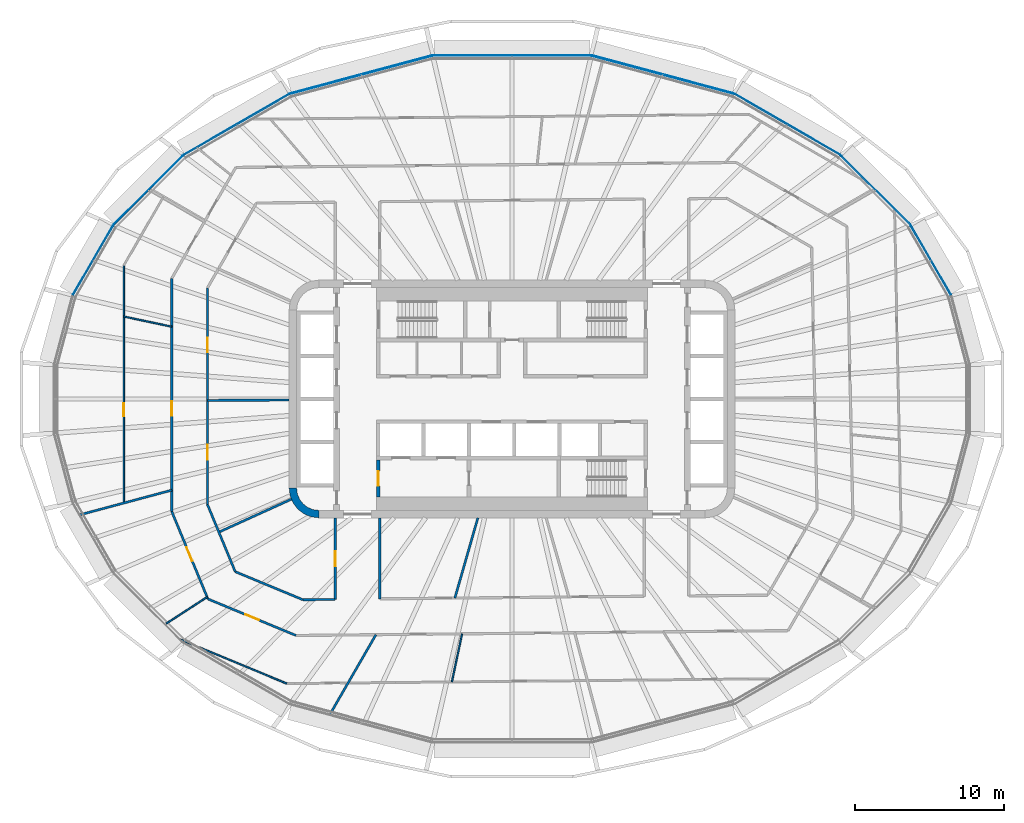
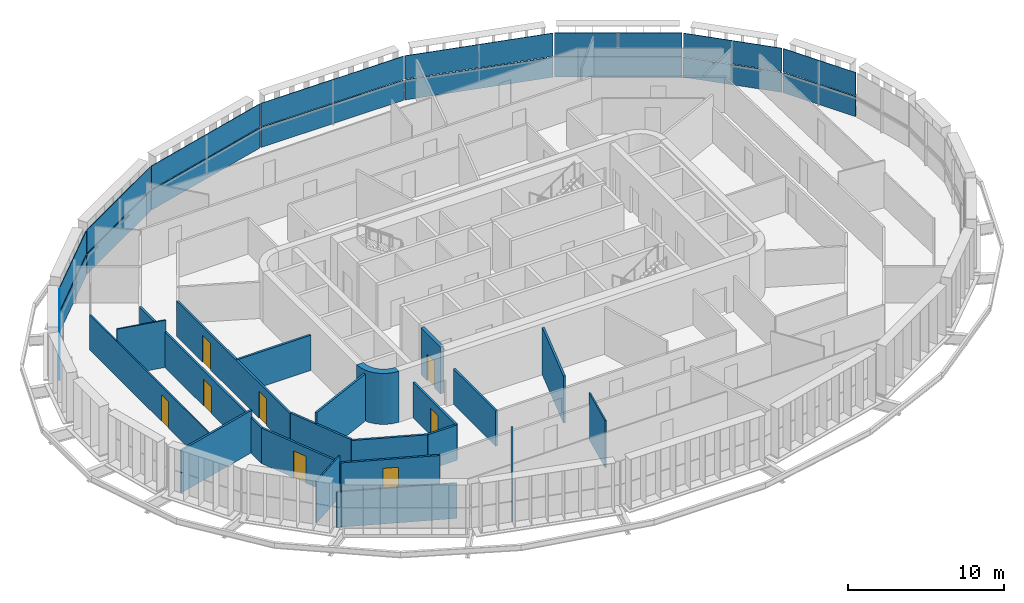
# One storey, part 10 of 22: 21 walls, 18 plates, 8 doors, 8 openings, 9 elements without a shape of their own.
"""IFC4 building model written with IfcOpenShell, lengths in metres."""

from ifc_helpers import new_model, si_unit, direction, frame, frame_2d, origin, place, context, subcontext, project, spatial, polyline, rectangle, outline, extrude, material, layer, layer_set, type_object, element, fill, aggregate, save


model = new_model("IFC4")

# Units and contexts
model_context = context("Model", 3, precision=1e-05, world=origin(), true_north=direction((0.0, 1.0)))
body_context = subcontext(model_context, "Body", "Model", "MODEL_VIEW")
ifc_project = project(units=[si_unit("LENGTHUNIT", "METRE"), si_unit("AREAUNIT", "SQUARE_METRE"), si_unit("VOLUMEUNIT", "CUBIC_METRE"), si_unit("PLANEANGLEUNIT", "RADIAN"), si_unit("MASSUNIT", "GRAM", prefix="KILO")], contexts=[model_context])

# Site, building, storey
site_placement = place(None, origin())
site = spatial("IfcSite", under=ifc_project, at=site_placement, CompositionType="ELEMENT")
building_placement = place(site_placement, origin())
building = spatial("IfcBuilding", under=site, at=building_placement, Name="Sahrelin Media Tower", CompositionType="ELEMENT")
storey_placement = place(building_placement, frame((0.0, 0.0, 189.60009765625)))
storey = spatial("IfcBuildingStorey", under=building, at=storey_placement, Name="L40", CompositionType="ELEMENT", Elevation=189.60009765625)

# Curtain wall, plate
ifc_material_1 = material(Name="Champagne anodised aluminium 6063-T6", Category="aluminium")
ifc_layer_1 = layer(ifc_material_1, 0.14990234375)
ifc_layer_set_1 = layer_set([ifc_layer_1], Name="Tower ribbon curtain wall")
curtain_wall_type = type_object("IfcCurtainWallType", Name="Tower ribbon curtain wall", PredefinedType="NOTDEFINED", material=ifc_layer_set_1)
curtain_wall_1_placement = place(storey_placement, frame((28.211181640625, 9.324951171875, 0.0), z_axis=(0.0, 0.0, 1.0), x_axis=(1.0, 0.0, 0.0)))
curtain_wall_1 = element("IfcCurtainWall", 1, at=curtain_wall_1_placement, inside=storey, type_object=curtain_wall_type, Name="L40:CW:L40-02", PredefinedType="NOTDEFINED")
ifc_material_2 = material(Name="Clear low-iron glazing", Category="glass")
ifc_layer_2 = layer(ifc_material_2, 0.0439453125)
ifc_layer_set_2 = layer_set([ifc_layer_2], Name="Glazing panel 44 mm CW1B")
plate_type_1 = type_object("IfcPlateType", Name="Glazing panel 44 mm CW1B", PredefinedType="CURTAIN_PANEL", material=ifc_layer_set_2)
plate_1_placement = place(storey_placement, frame((29.573486328125, 7.005859375, 1.6298828125), z_axis=(0.866014014495, 0.500019726309, 0.0), x_axis=(-0.500019726309, 0.866014014495, 0.0)))
plate_1 = element("IfcPlate", 2, at=plate_1_placement, type_object=plate_type_1, Name="L40:CWP2:L40-02", PredefinedType="CURTAIN_PANEL", context=body_context, shape_type="SweptSolid", body=[
    extrude(outline(polyline([(0.0, 0.0), (5.379150390625, 0.0), (5.379150390625, 1.818603515625), (0.0, 1.818603515625), (0.0, 0.0)])), origin(), (0.0, 0.0, -1.0), 0.0439453125),
])

curtain_wall_2_placement = place(storey_placement, frame((24.48779296875, 14.05126953125, 0.0), z_axis=(0.0, 0.0, 1.0), x_axis=(1.0, 0.0, 0.0)))
curtain_wall_2 = element("IfcCurtainWall", 3, at=curtain_wall_2_placement, inside=storey, type_object=curtain_wall_type, Name="L40:CW:L40-03", PredefinedType="NOTDEFINED")
plate_2_placement = place(storey_placement, frame((26.8203125, 11.7470703125, 1.6298828125), z_axis=(0.707106781187, 0.707106781187, 0.0), x_axis=(-0.707106781187, 0.707106781187, 0.0)))
plate_2 = element("IfcPlate", 4, at=plate_2_placement, type_object=plate_type_1, Name="L40:CWP2:L40-03", PredefinedType="CURTAIN_PANEL", context=body_context, shape_type="SweptSolid", body=[
    extrude(outline(polyline([(0.0, 0.0), (6.557373046875, 0.0), (6.557373046875, 1.818603515625), (0.0, 1.818603515625), (0.0, 0.0)])), origin(), (0.0, 0.0, -1.0), 0.0439453125),
])

curtain_wall_3_placement = place(storey_placement, frame((18.540283203125, 18.479736328125, 0.0), z_axis=(0.0, 0.0, 1.0), x_axis=(1.0, 0.0, 0.0)))
curtain_wall_3 = element("IfcCurtainWall", 5, at=curtain_wall_3_placement, inside=storey, type_object=curtain_wall_type, Name="L40:CW:L40-04", PredefinedType="NOTDEFINED")
plate_3_placement = place(storey_placement, frame((22.1005859375, 16.447509765625, 1.6298828125), z_axis=(0.499998260706, 0.866026407964, 0.0), x_axis=(-0.866026407964, 0.499998260706, 0.0)))
plate_3 = element("IfcPlate", 6, at=plate_3_placement, type_object=plate_type_1, Name="L40:CWP2:L40-04", PredefinedType="CURTAIN_PANEL", context=body_context, shape_type="SweptSolid", body=[
    extrude(outline(polyline([(0.0, 0.0), (8.19873046875, 0.0), (8.19873046875, 1.818603515625), (0.0, 1.818603515625), (0.0, 0.0)])), origin(), (0.0, 0.0, -1.0), 0.0439453125),
])

curtain_wall_4_placement = place(storey_placement, frame((10.143310546875, 21.841796875, 0.0), z_axis=(0.0, 0.0, 1.0), x_axis=(1.0, 0.0, 0.0)))
curtain_wall_4 = element("IfcCurtainWall", 7, at=curtain_wall_4_placement, inside=storey, type_object=curtain_wall_type, Name="L40:CW:L40-05", PredefinedType="NOTDEFINED")
plate_4_placement = place(storey_placement, frame((14.90380859375, 20.5869140625, 1.6298828125), z_axis=(0.258813753336, 0.965927244198, 0.0), x_axis=(-0.965927244198, 0.258813753336, 0.0)))
plate_4 = element("IfcPlate", 8, at=plate_4_placement, type_object=plate_type_1, Name="L40:CWP2:L40-05", PredefinedType="CURTAIN_PANEL", context=body_context, shape_type="SweptSolid", body=[
    extrude(outline(polyline([(0.0, 0.0), (9.84619140625, 0.0), (9.84619140625, 1.818603515625), (0.0, 1.818603515625), (0.0, 0.0)])), origin(), (0.0, 0.0, -1.0), 0.0439453125),
])

curtain_wall_5_placement = place(storey_placement, frame((0.0, 23.12890625, 0.0), z_axis=(0.0, 0.0, 1.0), x_axis=(1.0, 0.0, 0.0)))
curtain_wall_5 = element("IfcCurtainWall", 9, at=curtain_wall_5_placement, inside=storey, type_object=curtain_wall_type, Name="L40:CW:L40-06", PredefinedType="NOTDEFINED")
plate_5_placement = place(storey_placement, frame((5.28955078125, 23.14892578125, 1.6298828125), z_axis=(0.0, 1.0, 0.0), x_axis=(-1.0, 0.0, 0.0)))
plate_5 = element("IfcPlate", 10, at=plate_5_placement, type_object=plate_type_1, Name="L40:CWP2:L40-06", PredefinedType="CURTAIN_PANEL", context=body_context, shape_type="SweptSolid", body=[
    extrude(outline(polyline([(0.0, 0.0), (10.5791015625, 0.0), (10.5791015625, 1.818603515625), (0.0, 1.818603515625), (0.0, 0.0)])), origin(), (0.0, 0.0, -1.0), 0.0439453125),
])

curtain_wall_6_placement = place(storey_placement, frame((-10.143310546875, 21.841796875, 0.0), z_axis=(0.0, 0.0, 1.0), x_axis=(1.0, 0.0, 0.0)))
curtain_wall_6 = element("IfcCurtainWall", 11, at=curtain_wall_6_placement, inside=storey, type_object=curtain_wall_type, Name="L40:CW:L40-07", PredefinedType="NOTDEFINED")
plate_6_placement = place(storey_placement, frame((-5.39306640625, 23.13525390625, 1.6298828125), z_axis=(-0.258813753336, 0.965927244198, 0.0), x_axis=(-0.965927244198, -0.258813753336, 0.0)))
plate_6 = element("IfcPlate", 12, at=plate_6_placement, type_object=plate_type_1, Name="L40:CWP2:L40-07", PredefinedType="CURTAIN_PANEL", context=body_context, shape_type="SweptSolid", body=[
    extrude(outline(polyline([(0.0, 0.0), (9.84619140625, 0.0), (9.84619140625, 1.818603515625), (0.0, 1.818603515625), (0.0, 0.0)])), origin(), (0.0, 0.0, -1.0), 0.0439453125),
])

curtain_wall_7_placement = place(storey_placement, frame((-18.54052734375, 18.47998046875, 0.0), z_axis=(0.0, 0.0, 1.0), x_axis=(1.0, 0.0, 0.0)))
curtain_wall_7 = element("IfcCurtainWall", 13, at=curtain_wall_7_placement, inside=storey, type_object=curtain_wall_type, Name="L40:CW:L40-08", PredefinedType="NOTDEFINED")
plate_7_placement = place(storey_placement, frame((-15.000244140625, 20.546875, 1.6298828125), z_axis=(-0.499998260706, 0.866026407964, 0.0), x_axis=(-0.866026407964, -0.499998260706, 0.0)))
plate_7 = element("IfcPlate", 14, at=plate_7_placement, type_object=plate_type_1, Name="L40:CWP2:L40-08", PredefinedType="CURTAIN_PANEL", context=body_context, shape_type="SweptSolid", body=[
    extrude(outline(polyline([(0.0, 0.0), (8.19873046875, 0.0), (8.19873046875, 1.818603515625), (0.0, 1.818603515625), (0.0, 0.0)])), origin(), (0.0, 0.0, -1.0), 0.0439453125),
])

curtain_wall_8_placement = place(storey_placement, frame((-24.48779296875, 14.05126953125, 0.0), z_axis=(0.0, 0.0, 1.0), x_axis=(1.0, 0.0, 0.0)))
curtain_wall_8 = element("IfcCurtainWall", 15, at=curtain_wall_8_placement, inside=storey, type_object=curtain_wall_type, Name="L40:CW:L40-09", PredefinedType="NOTDEFINED")
plate_8_placement = place(storey_placement, frame((-22.18359375, 16.3837890625, 1.6298828125), z_axis=(-0.707106781187, 0.707106781187, 0.0), x_axis=(-0.707106781187, -0.707106781187, 0.0)))
plate_8 = element("IfcPlate", 16, at=plate_8_placement, type_object=plate_type_1, Name="L40:CWP2:L40-09", PredefinedType="CURTAIN_PANEL", context=body_context, shape_type="SweptSolid", body=[
    extrude(outline(polyline([(0.0, 0.0), (6.557373046875, 0.0), (6.557373046875, 1.818603515625), (0.0, 1.818603515625), (0.0, 0.0)])), origin(), (0.0, 0.0, -1.0), 0.0439453125),
])

curtain_wall_9_placement = place(storey_placement, frame((-28.21142578125, 9.324951171875, 0.0), z_axis=(0.0, 0.0, 1.0), x_axis=(1.0, 0.0, 0.0)))
curtain_wall_9 = element("IfcCurtainWall", 17, at=curtain_wall_9_placement, inside=storey, type_object=curtain_wall_type, Name="L40:CW:L40-10", PredefinedType="NOTDEFINED")
plate_9_placement = place(storey_placement, frame((-26.8837890625, 11.664306640625, 1.6298828125), z_axis=(-0.866014014495, 0.500019726309, 0.0), x_axis=(-0.500019726309, -0.866014014495, 0.0)))
plate_9 = element("IfcPlate", 18, at=plate_9_placement, type_object=plate_type_1, Name="L40:CWP2:L40-10", PredefinedType="CURTAIN_PANEL", context=body_context, shape_type="SweptSolid", body=[
    extrude(outline(polyline([(0.0, 0.0), (5.379150390625, 0.0), (5.379150390625, 1.818603515625), (0.0, 1.818603515625), (0.0, 0.0)])), origin(), (0.0, 0.0, -1.0), 0.0439453125),
])

# Plate
ifc_material_3 = material(Name="Insulated spandrel panel")
ifc_layer_3 = layer(ifc_material_3, 0.06005859375)
ifc_layer_set_3 = layer_set([ifc_layer_3], Name="Spandrel panel 60 mm CW1")
plate_type_2 = type_object("IfcPlateType", Name="Spandrel panel 60 mm CW1", PredefinedType="SHEET", material=ifc_layer_set_3)
plate_10_placement = place(storey_placement, frame((29.573486328125, 7.005859375, 0.0), z_axis=(0.866014014495, 0.500019726309, 0.0), x_axis=(-0.500019726309, 0.866014014495, 0.0)))
plate_10 = element("IfcPlate", 19, at=plate_10_placement, type_object=plate_type_2, Name="L40:CWP1:L40-02", PredefinedType="SHEET", context=body_context, shape_type="SweptSolid", body=[
    extrude(outline(polyline([(0.0, 0.0), (5.379150390625, 0.0), (5.379150390625, 1.56982421875), (0.0, 1.56982421875), (0.0, 0.0)])), origin(), (0.0, 0.0, -1.0), 0.06005859375),
])

aggregate(curtain_wall_1, [plate_10, plate_1])

plate_11_placement = place(storey_placement, frame((26.8203125, 11.7470703125, 0.0), z_axis=(0.707106781187, 0.707106781187, 0.0), x_axis=(-0.707106781187, 0.707106781187, 0.0)))
plate_11 = element("IfcPlate", 20, at=plate_11_placement, type_object=plate_type_2, Name="L40:CWP1:L40-03", PredefinedType="SHEET", context=body_context, shape_type="SweptSolid", body=[
    extrude(outline(polyline([(0.0, 0.0), (6.557373046875, 0.0), (6.557373046875, 1.56982421875), (0.0, 1.56982421875), (0.0, 0.0)])), origin(), (0.0, 0.0, -1.0), 0.06005859375),
])

aggregate(curtain_wall_2, [plate_11, plate_2])

plate_12_placement = place(storey_placement, frame((22.1005859375, 16.447509765625, 0.0), z_axis=(0.499998260706, 0.866026407964, 0.0), x_axis=(-0.866026407964, 0.499998260706, 0.0)))
plate_12 = element("IfcPlate", 21, at=plate_12_placement, type_object=plate_type_2, Name="L40:CWP1:L40-04", PredefinedType="SHEET", context=body_context, shape_type="SweptSolid", body=[
    extrude(outline(polyline([(0.0, 0.0), (8.19873046875, 0.0), (8.19873046875, 1.56982421875), (0.0, 1.56982421875), (0.0, 0.0)])), origin(), (0.0, 0.0, -1.0), 0.06005859375),
])

aggregate(curtain_wall_3, [plate_12, plate_3])

plate_13_placement = place(storey_placement, frame((14.90380859375, 20.5869140625, 0.0), z_axis=(0.258813753336, 0.965927244198, 0.0), x_axis=(-0.965927244198, 0.258813753336, 0.0)))
plate_13 = element("IfcPlate", 22, at=plate_13_placement, type_object=plate_type_2, Name="L40:CWP1:L40-05", PredefinedType="SHEET", context=body_context, shape_type="SweptSolid", body=[
    extrude(outline(polyline([(0.0, 0.0), (9.84619140625, 0.0), (9.84619140625, 1.56982421875), (0.0, 1.56982421875), (0.0, 0.0)])), origin(), (0.0, 0.0, -1.0), 0.06005859375),
])

aggregate(curtain_wall_4, [plate_13, plate_4])

plate_14_placement = place(storey_placement, frame((5.28955078125, 23.14892578125, 0.0), z_axis=(0.0, 1.0, 0.0), x_axis=(-1.0, 0.0, 0.0)))
plate_14 = element("IfcPlate", 23, at=plate_14_placement, type_object=plate_type_2, Name="L40:CWP1:L40-06", PredefinedType="SHEET", context=body_context, shape_type="SweptSolid", body=[
    extrude(outline(polyline([(0.0, 0.0), (10.5791015625, 0.0), (10.5791015625, 1.56982421875), (0.0, 1.56982421875), (0.0, 0.0)])), origin(), (0.0, 0.0, -1.0), 0.06005859375),
])

aggregate(curtain_wall_5, [plate_14, plate_5])

plate_15_placement = place(storey_placement, frame((-5.39306640625, 23.13525390625, 0.0), z_axis=(-0.258813753336, 0.965927244198, 0.0), x_axis=(-0.965927244198, -0.258813753336, 0.0)))
plate_15 = element("IfcPlate", 24, at=plate_15_placement, type_object=plate_type_2, Name="L40:CWP1:L40-07", PredefinedType="SHEET", context=body_context, shape_type="SweptSolid", body=[
    extrude(outline(polyline([(0.0, 0.0), (9.84619140625, 0.0), (9.84619140625, 1.56982421875), (0.0, 1.56982421875), (0.0, 0.0)])), origin(), (0.0, 0.0, -1.0), 0.06005859375),
])

aggregate(curtain_wall_6, [plate_15, plate_6])

plate_16_placement = place(storey_placement, frame((-15.000244140625, 20.546875, 0.0), z_axis=(-0.499998260706, 0.866026407964, 0.0), x_axis=(-0.866026407964, -0.499998260706, 0.0)))
plate_16 = element("IfcPlate", 25, at=plate_16_placement, type_object=plate_type_2, Name="L40:CWP1:L40-08", PredefinedType="SHEET", context=body_context, shape_type="SweptSolid", body=[
    extrude(outline(polyline([(0.0, 0.0), (8.19873046875, 0.0), (8.19873046875, 1.56982421875), (0.0, 1.56982421875), (0.0, 0.0)])), origin(), (0.0, 0.0, -1.0), 0.06005859375),
])

aggregate(curtain_wall_7, [plate_16, plate_7])

plate_17_placement = place(storey_placement, frame((-22.18359375, 16.3837890625, 0.0), z_axis=(-0.707106781187, 0.707106781187, 0.0), x_axis=(-0.707106781187, -0.707106781187, 0.0)))
plate_17 = element("IfcPlate", 26, at=plate_17_placement, type_object=plate_type_2, Name="L40:CWP1:L40-09", PredefinedType="SHEET", context=body_context, shape_type="SweptSolid", body=[
    extrude(outline(polyline([(0.0, 0.0), (6.557373046875, 0.0), (6.557373046875, 1.56982421875), (0.0, 1.56982421875), (0.0, 0.0)])), origin(), (0.0, 0.0, -1.0), 0.06005859375),
])

aggregate(curtain_wall_8, [plate_17, plate_8])

plate_18_placement = place(storey_placement, frame((-26.8837890625, 11.664306640625, 0.0), z_axis=(-0.866014014495, 0.500019726309, 0.0), x_axis=(-0.500019726309, -0.866014014495, 0.0)))
plate_18 = element("IfcPlate", 27, at=plate_18_placement, type_object=plate_type_2, Name="L40:CWP1:L40-10", PredefinedType="SHEET", context=body_context, shape_type="SweptSolid", body=[
    extrude(outline(polyline([(0.0, 0.0), (5.379150390625, 0.0), (5.379150390625, 1.56982421875), (0.0, 1.56982421875), (0.0, 0.0)])), origin(), (0.0, 0.0, -1.0), 0.06005859375),
])

aggregate(curtain_wall_9, [plate_18, plate_9])

# Wall
ifc_material_4 = material(Name="Concrete C60/75", Category="concrete")
ifc_layer_4 = layer(ifc_material_4, 0.5)
ifc_layer_set_4 = layer_set([ifc_layer_4], Name="Core wall 500")
wall_type_1 = type_object("IfcWallType", Name="Core wall 500", PredefinedType="SHEAR", material=ifc_layer_set_4)
wall_1_placement = place(storey_placement, origin())
element("IfcWall", 28, at=wall_1_placement, inside=storey, type_object=wall_type_1, Name="Core wall corner SW L40", PredefinedType="SHEAR", context=body_context, shape_type="SweptSolid", body=[
    extrude(outline(polyline([(-13.0, -8.0), (-13.0, -7.49560546875), (-13.38720703125, -7.44482421875), (-13.747802734375, -7.29541015625), (-14.0576171875, -7.0576171875), (-14.29541015625, -6.747802734375), (-14.44482421875, -6.38720703125), (-14.49560546875, -6.0), (-15.0, -6.0), (-14.931884765625, -6.517578125), (-14.732177734375, -7.0), (-14.414306640625, -7.414306640625), (-14.0, -7.732177734375), (-13.517578125, -7.931884765625), (-13.0, -8.0)])), origin(), (0.0, 0.0, 1.0), 4.0),
])

# Wall, opening, door
ifc_material_5 = material(Name="Fire-rated gypsum board partition")
ifc_layer_5 = layer(ifc_material_5, 0.14990234375)
ifc_layer_set_5 = layer_set([ifc_layer_5], Name="Fire-rated partition 150")
wall_type_2 = type_object("IfcWallType", Name="Fire-rated partition 150", PredefinedType="PARTITIONING", material=ifc_layer_set_5)
wall_2_placement = place(storey_placement, frame((-22.89990234375, -7.572021484375, 0.0), z_axis=(0.0, 0.0, 1.0), x_axis=(0.382367581622, -0.924010298928, 0.0)))
wall_2 = element("IfcWall", 29, at=wall_2_placement, inside=storey, type_object=wall_type_2, Name="Wall", PredefinedType="PARTITIONING", context=body_context, shape_type="SweptSolid", body=[
    extrude(rectangle(XDim=6.37353515625, YDim=0.14990234375, at=frame_2d((3.186767578125, 0.0))), origin(), (0.0, 0.0, 1.0), 2.77685546875),
])
opening_1_placement = place(wall_2_placement, frame((2.599853515625, 0.0, 0.0)))
opening_1 = element("IfcOpeningElement", 30, at=opening_1_placement, cuts=wall_2, Name="Opening L40-D49", PredefinedType="OPENING", context=body_context, shape_type="SweptSolid", body=[
    extrude(rectangle(XDim=1.0, YDim=2.10009765625, at=frame_2d((0.5, 1.050048828125))), frame((0.0, 0.074951171875, 0.0), z_axis=(0.0, -1.0, 0.0), x_axis=(1.0, 0.0, 0.0)), (0.0, 0.0, 1.0), 0.14990234375),
])
ifc_material_6 = material(Name="Steel fire door leaf", Category="steel")
door_type_1 = type_object("IfcDoorType", Name="Fire door 1000 x 2100 EI 60", OperationType="NOTDEFINED", PredefinedType="DOOR", material=ifc_material_6)
door_1_placement = place(opening_1_placement, origin())
door_1 = element("IfcDoor", 31, at=door_1_placement, inside=storey, type_object=door_type_1, Name="Fire door", OperationType="SINGLE_SWING_RIGHT", OverallHeight=2.10009765625, OverallWidth=1.0, PredefinedType="DOOR", context=body_context, shape_type="SweptSolid", body=[
    extrude(rectangle(XDim=1.0, YDim=2.10009765625, at=frame_2d((0.5, 1.050048828125))), frame((0.0, 0.02490234375, 0.0), z_axis=(0.0, -1.0, 0.0), x_axis=(1.0, 0.0, 0.0)), (0.0, 0.0, 1.0), 0.050048828125),
])
fill(opening_1, door_1)

# Wall
wall_3_placement = place(storey_placement, frame((-20.5, -7.094970703125, 0.0), z_axis=(0.0, 0.0, 1.0), x_axis=(0.382364990163, -0.924011371303, 0.0)))
element("IfcWall", 32, at=wall_3_placement, inside=storey, type_object=wall_type_2, Name="Wall", PredefinedType="PARTITIONING", context=body_context, shape_type="SweptSolid", body=[
    extrude(rectangle(XDim=4.90185546875, YDim=0.14990234375, at=frame_2d((2.450927734375, 0.0))), origin(), (0.0, 0.0, 1.0), 2.844970703125),
])

# Wall, opening, door
wall_4_placement = place(storey_placement, frame((-20.4599609375, -13.4599609375, 0.0), z_axis=(0.0, 0.0, 1.0), x_axis=(0.923801547606, -0.382871650349, 0.0)))
wall_4 = element("IfcWall", 33, at=wall_4_placement, inside=storey, type_object=wall_type_2, Name="Wall", PredefinedType="PARTITIONING", context=body_context, shape_type="SweptSolid", body=[
    extrude(rectangle(XDim=6.414794921875, YDim=0.14990234375, at=frame_2d((3.20751953125, 0.0))), origin(), (0.0, 0.0, 1.0), 2.77685546875),
])
opening_2_placement = place(wall_4_placement, frame((2.70703125, 0.0, 0.0)))
opening_2 = element("IfcOpeningElement", 34, at=opening_2_placement, cuts=wall_4, Name="Opening L40-D50", PredefinedType="OPENING", context=body_context, shape_type="SweptSolid", body=[
    extrude(rectangle(XDim=1.0, YDim=2.10009765625, at=frame_2d((0.5, 1.050048828125))), frame((0.0, 0.074951171875, 0.0), z_axis=(0.0, -1.0, 0.0), x_axis=(1.0, 0.0, 0.0)), (0.0, 0.0, 1.0), 0.14990234375),
])
door_2_placement = place(opening_2_placement, origin())
door_2 = element("IfcDoor", 35, at=door_2_placement, inside=storey, type_object=door_type_1, Name="Fire door", OperationType="SINGLE_SWING_RIGHT", OverallHeight=2.10009765625, OverallWidth=1.0, PredefinedType="DOOR", context=body_context, shape_type="SweptSolid", body=[
    extrude(rectangle(XDim=1.0, YDim=2.10009765625, at=frame_2d((0.5, 1.050048828125))), frame((0.0, 0.02490234375, 0.0), z_axis=(0.0, -1.0, 0.0), x_axis=(1.0, 0.0, 0.0)), (0.0, 0.0, 1.0), 0.050048828125),
])
fill(opening_2, door_2)

# Walls
wall_5_placement = place(storey_placement, frame((-18.623046875, -11.623046875, 0.0), z_axis=(0.0, 0.0, 1.0), x_axis=(0.923791670587, -0.38289548098, 0.0)))
element("IfcWall", 36, at=wall_5_placement, inside=storey, type_object=wall_type_2, Name="Wall", PredefinedType="PARTITIONING", context=body_context, shape_type="SweptSolid", body=[
    extrude(rectangle(XDim=4.9306640625, YDim=0.14990234375, at=frame_2d((2.46533203125, 0.0))), origin(), (0.0, 0.0, 1.0), 2.77685546875),
])
wall_6_placement = place(storey_placement, frame((-20.5, -0.093994140625, 0.0), z_axis=(0.0, 0.0, 1.0), x_axis=(0.999990148138, 0.004438876723, 0.0)))
element("IfcWall", 37, at=wall_6_placement, inside=storey, type_object=wall_type_2, Name="Wall", PredefinedType="PARTITIONING", context=body_context, shape_type="SweptSolid", body=[
    extrude(rectangle(XDim=5.5, YDim=0.14990234375, at=frame_2d((2.75, 0.0))), origin(), (0.0, 0.0, 1.0), 2.76806640625),
])
wall_7_placement = place(storey_placement, frame((-14.068115234375, -13.510986328125, 0.0), z_axis=(0.0, 0.0, 1.0), x_axis=(0.999950911515, 0.009908307647, 0.0)))
element("IfcWall", 38, at=wall_7_placement, inside=storey, type_object=wall_type_2, Name="Wall", PredefinedType="PARTITIONING", context=body_context, shape_type="SweptSolid", body=[
    extrude(rectangle(XDim=2.168212890625, YDim=0.14990234375, at=frame_2d((1.083984375, 0.0))), origin(), (0.0, 0.0, 1.0), 2.77685546875),
])
wall_8_placement = place(storey_placement, frame((-29.093994140625, -7.7958984375, 0.0), z_axis=(0.0, 0.0, 1.0), x_axis=(0.965917630497, 0.258849630277, 0.0)))
element("IfcWall", 39, at=wall_8_placement, inside=storey, type_object=wall_type_2, Name="Wall", PredefinedType="PARTITIONING", context=body_context, shape_type="SweptSolid", body=[
    extrude(rectangle(XDim=6.41259765625, YDim=0.14990234375, at=frame_2d((3.206298828125, 0.0))), origin(), (0.0, 0.0, 1.0), 3.324951171875),
])
wall_9_placement = place(storey_placement, frame((-19.72802734375, -8.9580078125, 0.0), z_axis=(0.0, 0.0, 1.0), x_axis=(0.910629511797, 0.413223779863, 0.0)))
element("IfcWall", 40, at=wall_9_placement, inside=storey, type_object=wall_type_2, Name="Wall", PredefinedType="PARTITIONING", context=body_context, shape_type="SweptSolid", body=[
    extrude(rectangle(XDim=5.3681640625, YDim=0.14990234375, at=frame_2d((2.68408203125, 0.0))), origin(), (0.0, 0.0, 1.0), 3.699951171875),
])
wall_10_placement = place(storey_placement, frame((-12.280029296875, -21.27001953125, 0.0), z_axis=(0.0, 0.0, 1.0), x_axis=(0.499966163276, 0.866044938545, 0.0)))
element("IfcWall", 41, at=wall_10_placement, inside=storey, type_object=wall_type_2, Name="Wall", PredefinedType="PARTITIONING", context=body_context, shape_type="SweptSolid", body=[
    extrude(rectangle(XDim=6.24365234375, YDim=0.14990234375, at=frame_2d((3.121826171875, 0.0))), origin(), (0.0, 0.0, 1.0), 3.077392578125),
])
wall_11_placement = place(storey_placement, frame((-3.845947265625, -13.39892578125, 0.0), z_axis=(0.0, 0.0, 1.0), x_axis=(0.275914969745, 0.961182048038, 0.0)))
element("IfcWall", 42, at=wall_11_placement, inside=storey, type_object=wall_type_2, Name="Wall", PredefinedType="PARTITIONING", context=body_context, shape_type="SweptSolid", body=[
    extrude(rectangle(XDim=5.616943359375, YDim=0.14990234375, at=frame_2d((2.80859375, 0.0))), origin(), (0.0, 0.0, 1.0), 3.699951171875),
])
wall_12_placement = place(storey_placement, frame((-8.89990234375, -13.448974609375, 0.0), z_axis=(0.0, 0.0, 1.0), x_axis=(0.0, 1.0, 0.0)))
element("IfcWall", 43, at=wall_12_placement, inside=storey, type_object=wall_type_2, Name="Wall", PredefinedType="PARTITIONING", context=body_context, shape_type="SweptSolid", body=[
    extrude(rectangle(XDim=5.448974609375, YDim=0.14990234375, at=frame_2d((2.724609375, 0.0))), origin(), (0.0, 0.0, 1.0), 2.77685546875),
])

# Wall, opening, door
wall_13_placement = place(storey_placement, frame((-11.89990234375, -13.489990234375, 0.0), z_axis=(0.0, 0.0, 1.0), x_axis=(0.0, 1.0, 0.0)))
wall_13 = element("IfcWall", 44, at=wall_13_placement, inside=storey, type_object=wall_type_2, Name="Wall", PredefinedType="PARTITIONING", context=body_context, shape_type="SweptSolid", body=[
    extrude(rectangle(XDim=5.489990234375, YDim=0.14990234375, at=frame_2d((2.7451171875, 0.0))), origin(), (0.0, 0.0, 1.0), 2.77685546875),
])
opening_3_placement = place(wall_13_placement, frame((2.2451171875, 0.0, 0.0)))
opening_3 = element("IfcOpeningElement", 45, at=opening_3_placement, cuts=wall_13, Name="Opening L40-D34", PredefinedType="OPENING", context=body_context, shape_type="SweptSolid", body=[
    extrude(rectangle(XDim=1.0, YDim=2.10009765625, at=frame_2d((0.5, 1.050048828125))), frame((0.0, 0.074951171875, 0.0), z_axis=(0.0, -1.0, 0.0), x_axis=(1.0, 0.0, 0.0)), (0.0, 0.0, 1.0), 0.14990234375),
])
door_3_placement = place(opening_3_placement, origin())
door_3 = element("IfcDoor", 46, at=door_3_placement, inside=storey, type_object=door_type_1, Name="Fire door", OperationType="SINGLE_SWING_RIGHT", OverallHeight=2.10009765625, OverallWidth=1.0, PredefinedType="DOOR", context=body_context, shape_type="SweptSolid", body=[
    extrude(rectangle(XDim=1.0, YDim=2.10009765625, at=frame_2d((0.5, 1.050048828125))), frame((0.0, 0.02490234375, 0.0), z_axis=(0.0, -1.0, 0.0), x_axis=(1.0, 0.0, 0.0)), (0.0, 0.0, 1.0), 0.050048828125),
])
fill(opening_3, door_3)

# Wall, openings, doors
wall_14_placement = place(storey_placement, frame((-20.5, -7.094970703125, 0.0), z_axis=(0.0, 0.0, 1.0), x_axis=(0.0, 1.0, 0.0)))
wall_14 = element("IfcWall", 47, at=wall_14_placement, inside=storey, type_object=wall_type_2, Name="Wall", PredefinedType="PARTITIONING", context=body_context, shape_type="SweptSolid", body=[
    extrude(rectangle(XDim=14.569091796875, YDim=0.14990234375, at=frame_2d((7.28466796875, 0.0))), origin(), (0.0, 0.0, 1.0), 2.76806640625),
])
opening_4_placement = place(wall_14_placement, frame((10.234375, 0.0, 0.0)))
opening_4 = element("IfcOpeningElement", 48, at=opening_4_placement, cuts=wall_14, Name="Opening L40-D32", PredefinedType="OPENING", context=body_context, shape_type="SweptSolid", body=[
    extrude(rectangle(XDim=1.0, YDim=2.10009765625, at=frame_2d((0.5, 1.050048828125))), frame((0.0, 0.074951171875, 0.0), z_axis=(0.0, -1.0, 0.0), x_axis=(1.0, 0.0, 0.0)), (0.0, 0.0, 1.0), 0.14990234375),
])
opening_5_placement = place(wall_14_placement, frame((3.00048828125, 0.0, 0.0)))
opening_5 = element("IfcOpeningElement", 49, at=opening_5_placement, cuts=wall_14, Name="Opening L40-D33", PredefinedType="OPENING", context=body_context, shape_type="SweptSolid", body=[
    extrude(rectangle(XDim=1.0, YDim=2.10009765625, at=frame_2d((0.5, 1.050048828125))), frame((0.0, 0.074951171875, 0.0), z_axis=(0.0, -1.0, 0.0), x_axis=(1.0, 0.0, 0.0)), (0.0, 0.0, 1.0), 0.14990234375),
])
door_4_placement = place(opening_4_placement, origin())
door_4 = element("IfcDoor", 50, at=door_4_placement, inside=storey, type_object=door_type_1, Name="Fire door", OperationType="SINGLE_SWING_LEFT", OverallHeight=2.10009765625, OverallWidth=1.0, PredefinedType="DOOR", context=body_context, shape_type="SweptSolid", body=[
    extrude(rectangle(XDim=1.0, YDim=2.10009765625, at=frame_2d((0.5, 1.050048828125))), frame((0.0, 0.02490234375, 0.0), z_axis=(0.0, -1.0, 0.0), x_axis=(1.0, 0.0, 0.0)), (0.0, 0.0, 1.0), 0.050048828125),
])
fill(opening_4, door_4)
door_5_placement = place(opening_5_placement, origin())
door_5 = element("IfcDoor", 51, at=door_5_placement, inside=storey, type_object=door_type_1, Name="Fire door", OperationType="SINGLE_SWING_RIGHT", OverallHeight=2.10009765625, OverallWidth=1.0, PredefinedType="DOOR", context=body_context, shape_type="SweptSolid", body=[
    extrude(rectangle(XDim=1.0, YDim=2.10009765625, at=frame_2d((0.5, 1.050048828125))), frame((0.0, 0.02490234375, 0.0), z_axis=(0.0, -1.0, 0.0), x_axis=(1.0, 0.0, 0.0)), (0.0, 0.0, 1.0), 0.050048828125),
])
fill(opening_5, door_5)

# Wall, opening, door
wall_15_placement = place(storey_placement, frame((-22.89990234375, -7.572021484375, 0.0), z_axis=(0.0, 0.0, 1.0), x_axis=(0.0, 1.0, 0.0)))
wall_15 = element("IfcWall", 52, at=wall_15_placement, inside=storey, type_object=wall_type_2, Name="Wall", PredefinedType="PARTITIONING", context=body_context, shape_type="SweptSolid", body=[
    extrude(rectangle(XDim=15.68896484375, YDim=0.14990234375, at=frame_2d((7.844482421875, 0.0))), origin(), (0.0, 0.0, 1.0), 2.76806640625),
])
opening_6_placement = place(wall_15_placement, frame((6.4375, 0.0, 0.0)))
opening_6 = element("IfcOpeningElement", 53, at=opening_6_placement, cuts=wall_15, Name="Opening L40-D47", PredefinedType="OPENING", context=body_context, shape_type="SweptSolid", body=[
    extrude(rectangle(XDim=1.0, YDim=2.10009765625, at=frame_2d((0.5, 1.050048828125))), frame((0.0, 0.074951171875, 0.0), z_axis=(0.0, -1.0, 0.0), x_axis=(1.0, 0.0, 0.0)), (0.0, 0.0, 1.0), 0.14990234375),
])
door_6_placement = place(opening_6_placement, origin())
door_6 = element("IfcDoor", 54, at=door_6_placement, inside=storey, type_object=door_type_1, Name="Fire door", OperationType="SINGLE_SWING_LEFT", OverallHeight=2.10009765625, OverallWidth=1.0, PredefinedType="DOOR", context=body_context, shape_type="SweptSolid", body=[
    extrude(rectangle(XDim=1.0, YDim=2.10009765625, at=frame_2d((0.5, 1.050048828125))), frame((0.0, 0.02490234375, 0.0), z_axis=(0.0, -1.0, 0.0), x_axis=(1.0, 0.0, 0.0)), (0.0, 0.0, 1.0), 0.050048828125),
])
fill(opening_6, door_6)

ifc_layer_6 = layer(ifc_material_5, 0.25)
ifc_layer_set_6 = layer_set([ifc_layer_6], Name="Firefighting lobby wall 250")
wall_type_3 = type_object("IfcWallType", Name="Firefighting lobby wall 250", PredefinedType="PARTITIONING", material=ifc_layer_set_6)
wall_16_placement = place(storey_placement, frame((-9.0, -6.60009765625, 0.0), z_axis=(0.0, 0.0, 1.0), x_axis=(0.0, 1.0, 0.0)))
wall_16 = element("IfcWall", 55, at=wall_16_placement, inside=storey, type_object=wall_type_3, Name="Core wall", PredefinedType="PARTITIONING", context=body_context, shape_type="SweptSolid", body=[
    extrude(rectangle(XDim=2.5, YDim=0.25, at=frame_2d((1.25, 0.0))), origin(), (0.0, 0.0, 1.0), 3.699951171875),
])
opening_7_placement = place(wall_16_placement, frame((0.75, 0.0, 0.0)))
opening_7 = element("IfcOpeningElement", 56, at=opening_7_placement, cuts=wall_16, Name="Opening L40-D04", PredefinedType="OPENING", context=body_context, shape_type="SweptSolid", body=[
    extrude(rectangle(XDim=1.0, YDim=2.10009765625, at=frame_2d((0.5, 1.050048828125))), frame((0.0, 0.125, 0.0), z_axis=(0.0, -1.0, 0.0), x_axis=(1.0, 0.0, 0.0)), (0.0, 0.0, 1.0), 0.25),
])
door_type_2 = type_object("IfcDoorType", Name="Firefighting lobby door 1000 x 2100 EI 120", OperationType="NOTDEFINED", PredefinedType="DOOR", material=ifc_material_6)
door_7_placement = place(opening_7_placement, origin())
door_7 = element("IfcDoor", 57, at=door_7_placement, inside=storey, type_object=door_type_2, Name="Firefighting lobby door", OperationType="SINGLE_SWING_LEFT", OverallHeight=2.10009765625, OverallWidth=1.0, PredefinedType="DOOR", context=body_context, shape_type="SweptSolid", body=[
    extrude(rectangle(XDim=1.0, YDim=2.10009765625, at=frame_2d((0.5, 1.050048828125))), frame((0.0, 0.02490234375, 0.0), z_axis=(0.0, -1.0, 0.0), x_axis=(1.0, 0.0, 0.0)), (0.0, 0.0, 1.0), 0.050048828125),
])
fill(opening_7, door_7)

# Walls
ifc_material_7 = material(Name="Gypsum board partition")
ifc_layer_7 = layer(ifc_material_7, 0.10009765625)
ifc_layer_set_7 = layer_set([ifc_layer_7], Name="Partition 100")
wall_type_4 = type_object("IfcWallType", Name="Partition 100", PredefinedType="PARTITIONING", material=ifc_layer_set_7)
wall_17_placement = place(storey_placement, frame((-22.376953125, -16.162109375, 0.0), z_axis=(0.0, 0.0, 1.0), x_axis=(0.92383433172, -0.382792538505, 0.0)))
element("IfcWall", 58, at=wall_17_placement, inside=storey, type_object=wall_type_4, Name="Wall", PredefinedType="PARTITIONING", context=body_context, shape_type="SweptSolid", body=[
    extrude(rectangle(XDim=7.81103515625, YDim=0.10009765625, at=frame_2d((3.905517578125, 0.0))), origin(), (0.0, 0.0, 1.0), 2.77685546875),
])
wall_18_placement = place(storey_placement, frame((-26.1298828125, 5.553955078125, 0.0), z_axis=(0.0, 0.0, 1.0), x_axis=(0.978119374933, -0.208044438478, 0.0)))
element("IfcWall", 59, at=wall_18_placement, inside=storey, type_object=wall_type_4, Name="Wall", PredefinedType="PARTITIONING", context=body_context, shape_type="SweptSolid", body=[
    extrude(rectangle(XDim=3.30224609375, YDim=0.10009765625, at=frame_2d((1.651123046875, 0.0))), origin(), (0.0, 0.0, 1.0), 3.699951171875),
])
wall_19_placement = place(storey_placement, frame((-23.27099609375, -15.113037109375, 0.0), z_axis=(0.0, 0.0, 1.0), x_axis=(0.83866769183, 0.544643463819, 0.0)))
element("IfcWall", 60, at=wall_19_placement, inside=storey, type_object=wall_type_4, Name="Wall", PredefinedType="PARTITIONING", context=body_context, shape_type="SweptSolid", body=[
    extrude(rectangle(XDim=3.284912109375, YDim=0.10009765625, at=frame_2d((1.642578125, 0.0))), origin(), (0.0, 0.0, 1.0), 3.2734375),
])
wall_20_placement = place(storey_placement, frame((-4.047119140625, -19.0419921875, 0.0), z_axis=(0.0, 0.0, 1.0), x_axis=(0.207961984092, 0.978136909217, 0.0)))
element("IfcWall", 61, at=wall_20_placement, inside=storey, type_object=wall_type_4, Name="Wall", PredefinedType="PARTITIONING", context=body_context, shape_type="SweptSolid", body=[
    extrude(rectangle(XDim=3.309326171875, YDim=0.10009765625, at=frame_2d((1.65478515625, 0.0))), origin(), (0.0, 0.0, 1.0), 3.699951171875),
])

# Wall, opening, door
wall_21_placement = place(storey_placement, frame((-26.1298828125, -7.001953125, 0.0), z_axis=(0.0, 0.0, 1.0), x_axis=(0.0, 1.0, 0.0)))
wall_21 = element("IfcWall", 62, at=wall_21_placement, inside=storey, type_object=wall_type_4, Name="Wall", PredefinedType="PARTITIONING", context=body_context, shape_type="SweptSolid", body=[
    extrude(rectangle(XDim=15.98486328125, YDim=0.10009765625, at=frame_2d((7.992431640625, 0.0))), origin(), (0.0, 0.0, 1.0), 2.76806640625),
])
opening_8_placement = place(wall_21_placement, frame((5.827880859375, 0.0, 0.0)))
opening_8 = element("IfcOpeningElement", 63, at=opening_8_placement, cuts=wall_21, Name="Opening L40-D48", PredefinedType="OPENING", context=body_context, shape_type="SweptSolid", body=[
    extrude(rectangle(XDim=0.89990234375, YDim=2.10009765625, at=frame_2d((0.449951171875, 1.050048828125))), frame((0.0, 0.050048828125, 0.0), z_axis=(0.0, -1.0, 0.0), x_axis=(1.0, 0.0, 0.0)), (0.0, 0.0, 1.0), 0.10009765625),
])
ifc_material_8 = material(Name="Timber door leaf", Category="wood")
door_type_3 = type_object("IfcDoorType", Name="Single door 900 x 2100", OperationType="NOTDEFINED", PredefinedType="DOOR", material=ifc_material_8)
door_8_placement = place(opening_8_placement, origin())
door_8 = element("IfcDoor", 64, at=door_8_placement, inside=storey, type_object=door_type_3, Name="Single door", OperationType="SINGLE_SWING_LEFT", OverallHeight=2.10009765625, OverallWidth=0.89990234375, PredefinedType="DOOR", context=body_context, shape_type="SweptSolid", body=[
    extrude(rectangle(XDim=0.89990234375, YDim=2.10009765625, at=frame_2d((0.449951171875, 1.050048828125))), frame((0.0, 0.02490234375, 0.0), z_axis=(0.0, -1.0, 0.0), x_axis=(1.0, 0.0, 0.0)), (0.0, 0.0, 1.0), 0.050048828125),
])
fill(opening_8, door_8)

save(model, "model.ifc")
